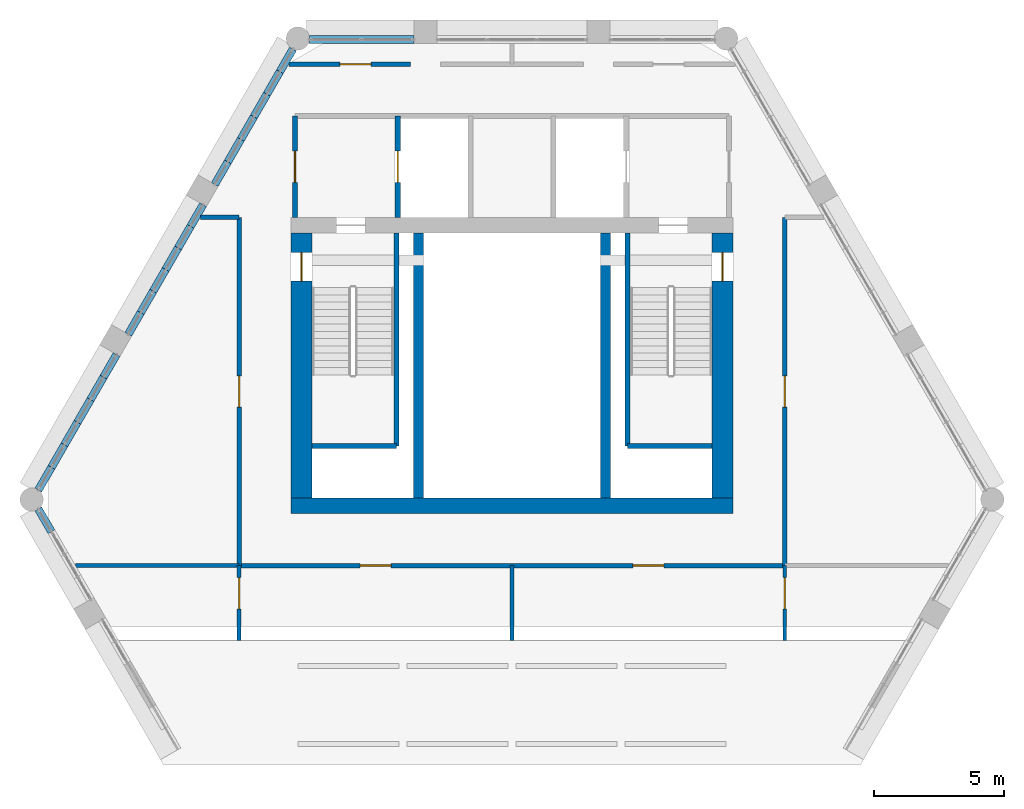
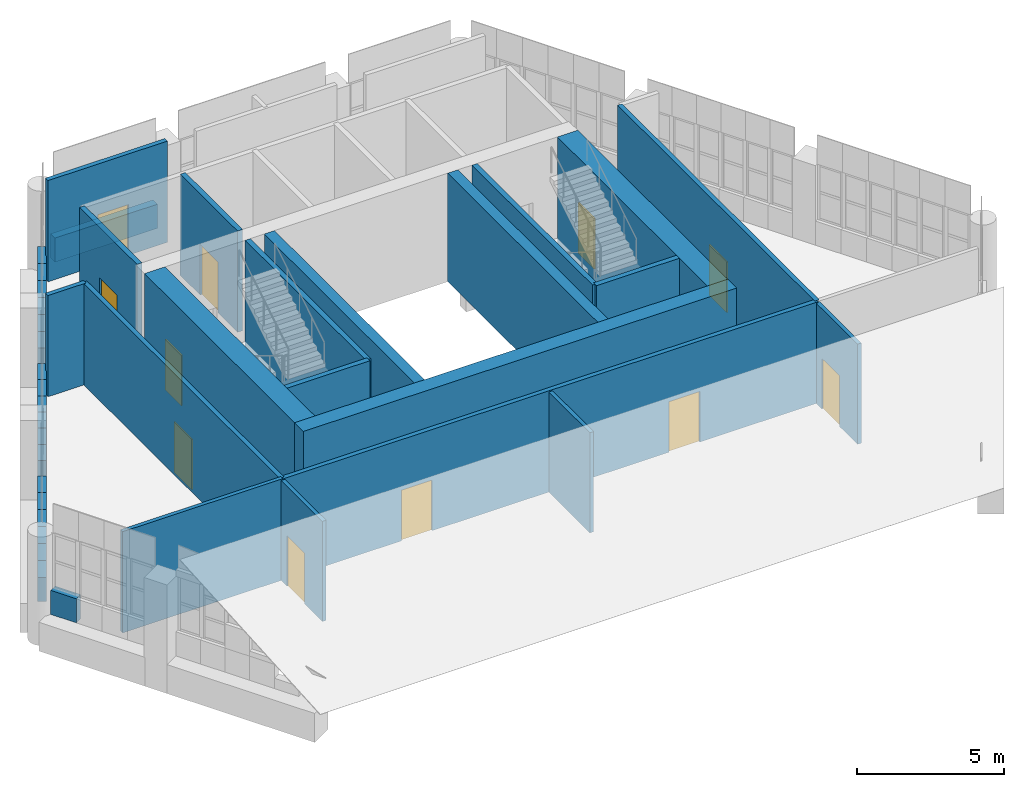
# One storey, part 18 of 23: 40 walls, 11 doors, 11 openings.
"""IFC4 building model written with IfcOpenShell, lengths in metres."""

import ifcopenshell
import ifcopenshell.guid

model = None  # the IFC model being written
_history = None  # IfcOwnerHistory: only IFC2X3 demands one
_inside = {}  # id of a spatial element -> (the spatial element, [elements in it])
_under = {}  # id of a project, library or spatial element -> (it, [spatial elements below it])
_declared = {}  # id of a project -> (the project, [libraries it declares])
_typed = {}  # id of a type object -> (the type object, [elements of that type])
_made_of = {}  # id of a material, layer set ... -> (it, [elements and type objects made of it])


def new_model(schema):
    """Start an empty IFC model of exactly this schema.

    Asked for "IFC4X3", IfcOpenShell would pick the latest addendum, in which some entities
    have other attributes; the version numbers below select the first issue.
    IFC2X3 requires an IfcOwnerHistory on every rooted entity: one is made here for all.
    """
    global model, _history
    if schema == "IFC4X3":
        model = ifcopenshell.file(schema_version=(4, 3, 0, 0))
    else:
        model = ifcopenshell.file(schema=schema)
    _inside.clear()
    _under.clear()
    _declared.clear()
    _typed.clear()
    _made_of.clear()
    _history = None
    if model.schema == "IFC2X3":
        org = make("IfcOrganization", Name="unknown")
        user = make(
            "IfcPersonAndOrganization",
            ThePerson=make("IfcPerson", FamilyName="unknown"),
            TheOrganization=org,
        )
        app = make(
            "IfcApplication",
            ApplicationDeveloper=org,
            Version="unknown",
            ApplicationFullName="unknown",
            ApplicationIdentifier="unknown",
        )
        _history = make(
            "IfcOwnerHistory",
            OwningUser=user,
            OwningApplication=app,
            ChangeAction="ADDED",
            CreationDate=0,
        )
    return model


def make(cls, **values):
    """One entity of the class cls with the attributes given. An attribute that is None is left unset."""
    return model.create_entity(
        cls, **{name: value for name, value in values.items() if value is not None}
    )


def rooted(cls, **values):
    """An entity with a GlobalId (a new one), such as an element, a storey or a relation."""
    return make(cls, GlobalId=ifcopenshell.guid.new(), OwnerHistory=_history, **values)


def si_unit(unit_type, name, prefix=None):
    """IfcSIUnit, for example si_unit("LENGTHUNIT", "METRE", prefix="MILLI")."""
    return make("IfcSIUnit", UnitType=unit_type, Prefix=prefix, Name=name)


def assignment(units):
    """IfcUnitAssignment: the units of a project."""
    return None if units is None else make("IfcUnitAssignment", Units=units)


def point(xyz):
    """IfcCartesianPoint."""
    return None if xyz is None else make("IfcCartesianPoint", Coordinates=xyz)


def direction(xyz):
    """IfcDirection."""
    return None if xyz is None else make("IfcDirection", DirectionRatios=xyz)


def frame(location, z_axis=None, x_axis=None):
    """IfcAxis2Placement3D, a coordinate frame: its origin and axes. An axis left out is left unset."""
    return make(
        "IfcAxis2Placement3D",
        Location=point(location),
        Axis=direction(z_axis),
        RefDirection=direction(x_axis),
    )


def frame_2d(location, x_axis=None):
    """IfcAxis2Placement2D, a coordinate frame in the plane: its origin and x axis."""
    return make(
        "IfcAxis2Placement2D", Location=point(location), RefDirection=direction(x_axis)
    )


def origin():
    """The frame at (0, 0, 0) with its axes left unset."""
    return frame((0.0, 0.0, 0.0))


def place(relative_to, where):
    """IfcLocalPlacement: puts the frame where relative to a parent placement (None: the world)."""
    return make(
        "IfcLocalPlacement", PlacementRelTo=relative_to, RelativePlacement=where
    )


def context(
    kind, dimensions, precision=None, world=None, true_north=None, identifier=None
):
    """IfcGeometricRepresentationContext, for example the 3D "Model" context."""
    return make(
        "IfcGeometricRepresentationContext",
        ContextIdentifier=identifier,
        ContextType=kind,
        CoordinateSpaceDimension=dimensions,
        Precision=precision,
        WorldCoordinateSystem=world,
        TrueNorth=true_north,
    )


def subcontext(parent, identifier, kind, view, scale=None):
    """IfcGeometricRepresentationSubContext, for example "Body" below "Model"."""
    return make(
        "IfcGeometricRepresentationSubContext",
        ContextIdentifier=identifier,
        ContextType=kind,
        ParentContext=parent,
        TargetScale=scale,
        TargetView=view,
    )


def project(units=None, contexts=None):
    """IfcProject with its units and contexts."""
    return rooted(
        "IfcProject",
        Name="project",
        RepresentationContexts=contexts,
        UnitsInContext=assignment(units),
    )


def spatial(cls, under=None, at=None, **own):
    """A site, building, storey or space (cls), placed at a placement, below another one or the project."""
    s = rooted(cls, ObjectPlacement=at, **own)
    if under is not None:
        _under.setdefault(under.id(), (under, []))[1].append(s)
    return s


def profile(cls, at=None, kind="AREA", **sizes):
    """A parametric profile (cls). Its sizes go by their IFC names, for example OverallWidth=200.0."""
    return make(cls, ProfileType=kind, Position=at, **sizes)


def rectangle(**sizes):
    """IfcRectangleProfileDef."""
    return profile("IfcRectangleProfileDef", **sizes)


def extrude(swept, where, along, depth):
    """IfcExtrudedAreaSolid: the profile swept, set in the frame where, extruded along a direction by depth."""
    return make(
        "IfcExtrudedAreaSolid",
        SweptArea=swept,
        Position=where,
        ExtrudedDirection=direction(along),
        Depth=depth,
    )


def shape(context_of_items, identifier, shape_type, items):
    """IfcShapeRepresentation: the items that make up one representation, for example the "Body"."""
    return make(
        "IfcShapeRepresentation",
        ContextOfItems=context_of_items,
        RepresentationIdentifier=identifier,
        RepresentationType=shape_type,
        Items=items,
    )


def material(Name=None, Category=None):
    """IfcMaterial."""
    return make("IfcMaterial", Name=Name, Category=Category)


def layer(
    of_material, thickness, ventilated=None, Name=None, Category=None, Priority=None
):
    """IfcMaterialLayer: one layer of a wall or slab, of a material (None: an air gap)."""
    return make(
        "IfcMaterialLayer",
        Material=of_material,
        LayerThickness=thickness,
        IsVentilated=ventilated,
        Name=Name,
        Category=Category,
        Priority=Priority,
    )


def layer_set(layers, Name=None):
    """IfcMaterialLayerSet."""
    return make("IfcMaterialLayerSet", MaterialLayers=layers, LayerSetName=Name)


def made_of(thing, what):
    """Note that an element or type object is made of a material, layer set ...; save() writes the relation."""
    if what is not None:
        _made_of.setdefault(what.id(), (what, []))[1].append(thing)
    return thing


def type_object(cls, material=None, **own):
    """A type object (cls), such as IfcWallType, which elements share."""
    return made_of(rooted(cls, **own), material)


def element(
    cls,
    number,
    at=None,
    inside=None,
    cuts=None,
    type_object=None,
    material=None,
    context=None,
    identifier="Body",
    shape_type=None,
    held_by="IfcProductDefinitionShape",
    body=None,
    shapes=None,
    **own,
):
    """One element of the class cls, such as IfcWall. Its Tag is "e" and its number.

    at: its placement. inside: the storey or other place that contains it. cuts: it is an
    opening in that element (IfcRelVoidsElement). A single representation is given by context,
    identifier, shape_type and body (its items); several are given by shapes. held_by: the class
    of the entity that holds the representations. save() writes the other relations.
    """
    e = rooted(cls, Tag="e%d" % number, ObjectPlacement=at, **own)
    if body is not None:
        shapes = [shape(context, identifier, shape_type, body)]
    if shapes is not None:
        e.Representation = make(held_by, Representations=shapes)
    if inside is not None:
        _inside.setdefault(inside.id(), (inside, []))[1].append(e)
    if cuts is not None:
        rooted(
            "IfcRelVoidsElement", RelatingBuildingElement=cuts, RelatedOpeningElement=e
        )
    if type_object is not None:
        _typed.setdefault(type_object.id(), (type_object, []))[1].append(e)
    return made_of(e, material)


def fill(opening, filler):
    """IfcRelFillsElement: the door or window that sits in an opening."""
    return rooted(
        "IfcRelFillsElement",
        RelatingOpeningElement=opening,
        RelatedBuildingElement=filler,
    )


def aggregate(whole, parts):
    """IfcRelAggregates: a whole, such as a stair, and the parts it consists of."""
    return rooted("IfcRelAggregates", RelatingObject=whole, RelatedObjects=parts)


def save(model, path):
    """Write the relations noted so far, then the file.

    IfcRelAggregates (storeys below a building ...), IfcRelContainedInSpatialStructure (elements
    in a storey), IfcRelDefinesByType, IfcRelAssociatesMaterial and IfcRelDeclares: one each for
    every whole, place, type object, material and project.
    """
    for whole, parts in _under.values():
        aggregate(whole, parts)
    for where, things in _inside.values():
        rooted(
            "IfcRelContainedInSpatialStructure",
            RelatedElements=things,
            RelatingStructure=where,
        )
    for kind, things in _typed.values():
        rooted("IfcRelDefinesByType", RelatedObjects=things, RelatingType=kind)
    for what, things in _made_of.values():
        rooted("IfcRelAssociatesMaterial", RelatedObjects=things, RelatingMaterial=what)
    for by, libraries in _declared.values():
        rooted("IfcRelDeclares", RelatingContext=by, RelatedDefinitions=libraries)
    model.write(path)


model = new_model("IFC4")

# Units and contexts
model_context = context("Model", 3, precision=1e-05, world=origin(), true_north=direction((0.0, 1.0)))
body_context = subcontext(model_context, "Body", "Model", "MODEL_VIEW")
ifc_project = project(units=[si_unit("LENGTHUNIT", "METRE"), si_unit("AREAUNIT", "SQUARE_METRE"), si_unit("VOLUMEUNIT", "CUBIC_METRE"), si_unit("PLANEANGLEUNIT", "RADIAN"), si_unit("MASSUNIT", "GRAM", prefix="KILO")], contexts=[model_context])

# Site, building, storey
site_placement = place(None, origin())
site = spatial("IfcSite", under=ifc_project, at=site_placement, CompositionType="ELEMENT")
building_placement = place(site_placement, origin())
building = spatial("IfcBuilding", under=site, at=building_placement, Name="Ostrander Bayou Hotel Tower", CompositionType="ELEMENT")
storey_placement = place(building_placement, frame((0.0, 0.0, 279.5)))
storey = spatial("IfcBuildingStorey", under=building, at=storey_placement, Name="L69", CompositionType="ELEMENT", Elevation=279.5)

# Wall
ifc_material_1 = material(Name="Concrete f'c 60 MPa", Category="concrete")
ifc_layer_1 = layer(ifc_material_1, 0.60009765625)
ifc_layer_set_1 = layer_set([ifc_layer_1], Name="CW10 core wall 600 mm f'c 60 MPa")
wall_type_1 = type_object("IfcWallType", Name="CW10 core wall 600 mm f'c 60 MPa", PredefinedType="SHEAR", material=ifc_layer_set_1)
wall_1_placement = place(storey_placement, frame((-8.5, -1.39990234375, -0.300048828125), z_axis=(0.0, 0.0, 1.0), x_axis=(1.0, 0.0, 0.0)))
element("IfcWall", 1, at=wall_1_placement, inside=storey, type_object=wall_type_1, Name="CW10 L69 S", PredefinedType="SHEAR", context=body_context, shape_type="SweptSolid", body=[
    extrude(rectangle(XDim=17.0, YDim=0.60009765625, at=frame_2d((8.5, 0.0))), origin(), (0.0, 0.0, 1.0), 4.5),
])

# Wall, opening, door
ifc_material_2 = material(Name="Concrete f'c 60 MPa", Category="concrete")
ifc_layer_2 = layer(ifc_material_2, 0.800048828125)
ifc_layer_set_2 = layer_set([ifc_layer_2], Name="CW11 core spine wall 800 mm f'c 60 MPa")
wall_type_2 = type_object("IfcWallType", Name="CW11 core spine wall 800 mm f'c 60 MPa", PredefinedType="SHEAR", material=ifc_layer_set_2)
wall_2_placement = place(storey_placement, frame((-8.10009765625, -1.10009765625, -0.300048828125), z_axis=(0.0, 0.0, 1.0), x_axis=(0.0, 1.0, 0.0)))
wall_2 = element("IfcWall", 2, at=wall_2_placement, inside=storey, type_object=wall_type_2, Name="CW11 L69 W", PredefinedType="SHEAR", context=body_context, shape_type="SweptSolid", body=[
    extrude(rectangle(XDim=10.2001953125, YDim=0.800048828125, at=frame_2d((5.10009765625, 0.0))), origin(), (0.0, 0.0, 1.0), 4.5),
])
opening_1_placement = place(wall_2_placement, frame((8.35009765625, 0.0, 0.0)))
opening_1 = element("IfcOpeningElement", 3, at=opening_1_placement, cuts=wall_2, Name="Opening T69-002", PredefinedType="OPENING", context=body_context, shape_type="SweptSolid", body=[
    extrude(rectangle(XDim=1.10009765625, YDim=2.10009765625, at=frame_2d((0.550048828125, 1.050048828125))), frame((0.0, 0.39990234375, 0.0), z_axis=(0.0, -1.0, 0.0), x_axis=(1.0, 0.0, 0.0)), (0.0, 0.0, 1.0), 0.800048828125),
])
ifc_material_3 = material(Name="Timber door leaf", Category="wood")
door_type_1 = type_object("IfcDoorType", Name="D5 stair door 1100 x 2100 mm, 90 minute", OperationType="SINGLE_SWING_LEFT", PredefinedType="DOOR", material=ifc_material_3)
door_1_placement = place(opening_1_placement, origin())
door_1 = element("IfcDoor", 4, at=door_1_placement, inside=storey, type_object=door_type_1, Name="dr:L69:002", OperationType="SINGLE_SWING_RIGHT", OverallHeight=2.10009765625, OverallWidth=1.10009765625, PredefinedType="DOOR", context=body_context, shape_type="SweptSolid", body=[
    extrude(rectangle(XDim=1.10009765625, YDim=2.10009765625, at=frame_2d((0.550048828125, 1.050048828125))), frame((0.0, 0.02490234375, 0.0), z_axis=(0.0, -1.0, 0.0), x_axis=(1.0, 0.0, 0.0)), (0.0, 0.0, 1.0), 0.050048828125),
])
fill(opening_1, door_1)

wall_3_placement = place(storey_placement, frame((8.10009765625, -1.10009765625, -0.300048828125), z_axis=(0.0, 0.0, 1.0), x_axis=(0.0, 1.0, 0.0)))
wall_3 = element("IfcWall", 5, at=wall_3_placement, inside=storey, type_object=wall_type_2, Name="CW11 L69 E", PredefinedType="SHEAR", context=body_context, shape_type="SweptSolid", body=[
    extrude(rectangle(XDim=10.2001953125, YDim=0.800048828125, at=frame_2d((5.10009765625, 0.0))), origin(), (0.0, 0.0, 1.0), 4.5),
])
opening_2_placement = place(wall_3_placement, frame((8.35009765625, 0.0, 0.0)))
opening_2 = element("IfcOpeningElement", 6, at=opening_2_placement, cuts=wall_3, Name="Opening T69-004", PredefinedType="OPENING", context=body_context, shape_type="SweptSolid", body=[
    extrude(rectangle(XDim=1.10009765625, YDim=2.10009765625, at=frame_2d((0.550048828125, 1.050048828125))), frame((0.0, 0.39990234375, 0.0), z_axis=(0.0, -1.0, 0.0), x_axis=(1.0, 0.0, 0.0)), (0.0, 0.0, 1.0), 0.800048828125),
])
door_2_placement = place(opening_2_placement, origin())
door_2 = element("IfcDoor", 7, at=door_2_placement, inside=storey, type_object=door_type_1, Name="dr:L69:004", OperationType="SINGLE_SWING_LEFT", OverallHeight=2.10009765625, OverallWidth=1.10009765625, PredefinedType="DOOR", context=body_context, shape_type="SweptSolid", body=[
    extrude(rectangle(XDim=1.10009765625, YDim=2.10009765625, at=frame_2d((0.550048828125, 1.050048828125))), frame((0.0, 0.02490234375, 0.0), z_axis=(0.0, -1.0, 0.0), x_axis=(1.0, 0.0, 0.0)), (0.0, 0.0, 1.0), 0.050048828125),
])
fill(opening_2, door_2)

# Walls
ifc_material_4 = material(Name="Concrete f'c 60 MPa", Category="concrete")
ifc_layer_3 = layer(ifc_material_4, 0.39990234375)
ifc_layer_set_3 = layer_set([ifc_layer_3], Name="CW12 core bank wall 400 mm f'c 60 MPa")
wall_type_3 = type_object("IfcWallType", Name="CW12 core bank wall 400 mm f'c 60 MPa", PredefinedType="SHEAR", material=ifc_layer_set_3)
for number, where, z_axis, x_axis, name in (
    (8, (-3.60009765625, -1.10009765625, -0.300048828125), (0.0, 0.0, 1.0), (0.0, 1.0, 0.0), "CW12 L69 CW"),
    (9, (3.60009765625, -1.10009765625, -0.300048828125), (0.0, 0.0, 1.0), (0.0, 1.0, 0.0), "CW12 L69 CE"),
):
    element("IfcWall", number, at=place(storey_placement, frame(where, z_axis=z_axis, x_axis=x_axis)), inside=storey, type_object=wall_type_3, Name=name, PredefinedType="SHEAR", context=body_context, shape_type="SweptSolid", body=[
        extrude(rectangle(XDim=10.2001953125, YDim=0.39990234375, at=frame_2d((5.10009765625, 0.0))), origin(), (0.0, 0.0, 1.0), 4.5),
    ])
ifc_material_5 = material(Name="Reconstituted stone on masonry backing", Category="masonry")
ifc_layer_4 = layer(ifc_material_5, 0.300048828125)
ifc_layer_set_4 = layer_set([ifc_layer_4], Name="NW1 north stone wall 300 mm")
wall_type_4 = type_object("IfcWallType", Name="NW1 north stone wall 300 mm", PredefinedType="SOLIDWALL", material=ifc_layer_set_4)
wall_4_placement = place(storey_placement, frame((-3.779296875, 16.550048828125, 0.0), z_axis=(0.0, 0.0, 1.0), x_axis=(-1.0, 0.0, 0.0)))
element("IfcWall", 10, at=wall_4_placement, inside=storey, type_object=wall_type_4, Name="NW1 L69 N-3 sill", PredefinedType="SOLIDWALL", context=body_context, shape_type="SweptSolid", body=[
    extrude(rectangle(XDim=4.0166015625, YDim=0.300048828125, at=frame_2d((2.00830078125, 0.0))), origin(), (0.0, 0.0, 1.0), 1.0),
])
wall_5_placement = place(storey_placement, frame((-8.431884765625, 16.182373046875, 0.0), z_axis=(0.0, 0.0, 1.0), x_axis=(-0.500143783026, -0.865942374699, 0.0)))
element("IfcWall", 11, at=wall_5_placement, inside=storey, type_object=wall_type_4, Name="NW1 L69 NW-1-1 sill", PredefinedType="SOLIDWALL", context=body_context, shape_type="SweptSolid", body=[
    extrude(rectangle(XDim=1.003173828125, YDim=0.300048828125, at=frame_2d((0.50146484375, 0.0))), origin(), (0.0, 0.0, 1.0), 1.0),
])
wall_6_placement = place(storey_placement, frame((-8.93359375, 15.313720703125, 0.0), z_axis=(0.0, 0.0, 1.0), x_axis=(-0.500038395149, -0.8660032352, 0.0)))
element("IfcWall", 12, at=wall_6_placement, inside=storey, type_object=wall_type_4, Name="NW1 L69 NW-1-2 sill", PredefinedType="SOLIDWALL", context=body_context, shape_type="SweptSolid", body=[
    extrude(rectangle(XDim=1.00341796875, YDim=0.300048828125, at=frame_2d((0.501708984375, 0.0))), origin(), (0.0, 0.0, 1.0), 1.0),
])
wall_7_placement = place(storey_placement, frame((-9.435302734375, 14.44482421875, 0.0), z_axis=(0.0, 0.0, 1.0), x_axis=(-0.499961250474, -0.866047774678, 0.0)))
element("IfcWall", 13, at=wall_7_placement, inside=storey, type_object=wall_type_4, Name="NW1 L69 NW-1-3 sill", PredefinedType="SOLIDWALL", context=body_context, shape_type="SweptSolid", body=[
    extrude(rectangle(XDim=1.0029296875, YDim=0.300048828125, at=frame_2d((0.50146484375, 0.0))), origin(), (0.0, 0.0, 1.0), 1.0),
])
for number, where, z_axis, x_axis, name in (
    (14, (-9.936767578125, 13.576171875, 0.0), (0.0, 0.0, 1.0), (-0.499855875421, -0.866108598161, 0.0), "NW1 L69 NW-1-4 sill"),
    (15, (-10.438232421875, 12.707275390625, 0.0), (0.0, 0.0, 1.0), (-0.500143783026, -0.865942374699, 0.0), "NW1 L69 NW-1-5 sill"),
    (16, (-10.93994140625, 11.838623046875, 0.0), (0.0, 0.0, 1.0), (-0.499855875421, -0.866108598161, 0.0), "NW1 L69 NW-1-6 sill"),
):
    element("IfcWall", number, at=place(storey_placement, frame(where, z_axis=z_axis, x_axis=x_axis)), inside=storey, type_object=wall_type_4, Name=name, PredefinedType="SOLIDWALL", context=body_context, shape_type="SweptSolid", body=[
        extrude(rectangle(XDim=1.003173828125, YDim=0.300048828125, at=frame_2d((0.50146484375, 0.0))), origin(), (0.0, 0.0, 1.0), 1.0),
    ])
for number, where, z_axis, x_axis, name in (
    (17, (-11.8916015625, 10.1904296875, 0.0), (0.0, 0.0, 1.0), (-0.499832553123, -0.866122057702, 0.0), "NW1 L69 NW-2-1 sill"),
    (18, (-12.371337890625, 9.359130859375, 0.0), (0.0, 0.0, 1.0), (-0.500133489192, -0.865948320045, 0.0), "NW1 L69 NW-2-2 sill"),
):
    element("IfcWall", number, at=place(storey_placement, frame(where, z_axis=z_axis, x_axis=x_axis)), inside=storey, type_object=wall_type_4, Name=name, PredefinedType="SOLIDWALL", context=body_context, shape_type="SweptSolid", body=[
        extrude(rectangle(XDim=0.959716796875, YDim=0.300048828125, at=frame_2d((0.47998046875, 0.0))), origin(), (0.0, 0.0, 1.0), 1.0),
    ])
wall_8_placement = place(storey_placement, frame((-12.851318359375, 8.528076171875, 0.0), z_axis=(0.0, 0.0, 1.0), x_axis=(-0.500023335103, -0.866011930837, 0.0)))
element("IfcWall", 19, at=wall_8_placement, inside=storey, type_object=wall_type_4, Name="NW1 L69 NW-2-3 sill", PredefinedType="SOLIDWALL", context=body_context, shape_type="SweptSolid", body=[
    extrude(rectangle(XDim=0.9599609375, YDim=0.300048828125, at=frame_2d((0.47998046875, 0.0))), origin(), (0.0, 0.0, 1.0), 1.0),
])
wall_9_placement = place(storey_placement, frame((-13.331298828125, 7.69677734375, 0.0), z_axis=(0.0, 0.0, 1.0), x_axis=(-0.499832553123, -0.866122057702, 0.0)))
element("IfcWall", 20, at=wall_9_placement, inside=storey, type_object=wall_type_4, Name="NW1 L69 NW-2-4 sill", PredefinedType="SOLIDWALL", context=body_context, shape_type="SweptSolid", body=[
    extrude(rectangle(XDim=0.959716796875, YDim=0.300048828125, at=frame_2d((0.47998046875, 0.0))), origin(), (0.0, 0.0, 1.0), 1.0),
])
wall_10_placement = place(storey_placement, frame((-13.81103515625, 6.865478515625, 0.0), z_axis=(0.0, 0.0, 1.0), x_axis=(-0.500023335103, -0.866011930837, 0.0)))
element("IfcWall", 21, at=wall_10_placement, inside=storey, type_object=wall_type_4, Name="NW1 L69 NW-2-5 sill", PredefinedType="SOLIDWALL", context=body_context, shape_type="SweptSolid", body=[
    extrude(rectangle(XDim=0.9599609375, YDim=0.300048828125, at=frame_2d((0.47998046875, 0.0))), origin(), (0.0, 0.0, 1.0), 1.0),
])
wall_11_placement = place(storey_placement, frame((-14.291015625, 6.0341796875, 0.0), z_axis=(0.0, 0.0, 1.0), x_axis=(-0.500133489192, -0.865948320045, 0.0)))
element("IfcWall", 22, at=wall_11_placement, inside=storey, type_object=wall_type_4, Name="NW1 L69 NW-2-6 sill", PredefinedType="SOLIDWALL", context=body_context, shape_type="SweptSolid", body=[
    extrude(rectangle(XDim=0.959716796875, YDim=0.300048828125, at=frame_2d((0.47998046875, 0.0))), origin(), (0.0, 0.0, 1.0), 1.0),
])
wall_12_placement = place(storey_placement, frame((-15.220947265625, 4.423583984375, 0.0), z_axis=(0.0, 0.0, 1.0), x_axis=(-0.499961250474, -0.866047774678, 0.0)))
element("IfcWall", 23, at=wall_12_placement, inside=storey, type_object=wall_type_4, Name="NW1 L69 NW-3-1 sill", PredefinedType="SOLIDWALL", context=body_context, shape_type="SweptSolid", body=[
    extrude(rectangle(XDim=1.0029296875, YDim=0.300048828125, at=frame_2d((0.50146484375, 0.0))), origin(), (0.0, 0.0, 1.0), 1.0),
])
wall_13_placement = place(storey_placement, frame((-15.722412109375, 3.554931640625, 0.0), z_axis=(0.0, 0.0, 1.0), x_axis=(-0.500143783026, -0.865942374699, 0.0)))
element("IfcWall", 24, at=wall_13_placement, inside=storey, type_object=wall_type_4, Name="NW1 L69 NW-3-2 sill", PredefinedType="SOLIDWALL", context=body_context, shape_type="SweptSolid", body=[
    extrude(rectangle(XDim=1.003173828125, YDim=0.300048828125, at=frame_2d((0.50146484375, 0.0))), origin(), (0.0, 0.0, 1.0), 1.0),
])
for number, where, z_axis, x_axis, name in (
    (25, (-16.22412109375, 2.686279296875, 0.0), (0.0, 0.0, 1.0), (-0.499961250474, -0.866047774678, 0.0), "NW1 L69 NW-3-3 sill"),
    (26, (-16.7255859375, 1.817626953125, 0.0), (0.0, 0.0, 1.0), (-0.499961250474, -0.866047774678, 0.0), "NW1 L69 NW-3-4 sill"),
    (27, (-17.22705078125, 0.948974609375, 0.0), (0.0, 0.0, 1.0), (-0.499961250474, -0.866047774678, 0.0), "NW1 L69 NW-3-5 sill"),
    (28, (-17.728515625, 0.080322265625, 0.0), (0.0, 0.0, 1.0), (-0.499961250474, -0.866047774678, 0.0), "NW1 L69 NW-3-6 sill"),
):
    element("IfcWall", number, at=place(storey_placement, frame(where, z_axis=z_axis, x_axis=x_axis)), inside=storey, type_object=wall_type_4, Name=name, PredefinedType="SOLIDWALL", context=body_context, shape_type="SweptSolid", body=[
        extrude(rectangle(XDim=1.0029296875, YDim=0.300048828125, at=frame_2d((0.50146484375, 0.0))), origin(), (0.0, 0.0, 1.0), 1.0),
    ])
wall_14_placement = place(storey_placement, frame((-18.22998046875, -1.524658203125, 0.0), z_axis=(0.0, 0.0, 1.0), x_axis=(0.500010157896, -0.866019539041, 0.0)))
element("IfcWall", 29, at=wall_14_placement, inside=storey, type_object=wall_type_4, Name="NW1 L69 SW-1-1 sill", PredefinedType="SOLIDWALL", context=body_context, shape_type="SweptSolid", body=[
    extrude(rectangle(XDim=1.00390625, YDim=0.300048828125, at=frame_2d((0.501953125, 0.0))), origin(), (0.0, 0.0, 1.0), 1.0),
])

# Wall, openings, doors
ifc_material_6 = material(Name="Gypsum board partition", Category="finish")
ifc_layer_5 = layer(ifc_material_6, 0.175048828125)
ifc_layer_set_5 = layer_set([ifc_layer_5], Name="PT4 corridor wall 175 mm, 1 hour")
wall_type_5 = type_object("IfcWallType", Name="PT4 corridor wall 175 mm, 1 hour", PredefinedType="PARTITIONING", material=ifc_layer_set_5)
wall_15_placement = place(storey_placement, frame((-10.5, -3.699951171875, 0.0), z_axis=(0.0, 0.0, 1.0), x_axis=(1.0, 0.0, 0.0)))
wall_15 = element("IfcWall", 30, at=wall_15_placement, inside=storey, type_object=wall_type_5, Name="sw:L69:001", PredefinedType="PARTITIONING", context=body_context, shape_type="SweptSolid", body=[
    extrude(rectangle(XDim=21.0, YDim=0.175048828125, at=frame_2d((10.5, 0.0))), origin(), (0.0, 0.0, 1.0), 4.199951171875),
])
opening_3_placement = place(wall_15_placement, frame((4.64990234375, 0.0, 0.0)))
opening_3 = element("IfcOpeningElement", 31, at=opening_3_placement, cuts=wall_15, Name="Opening T69-200", PredefinedType="OPENING", context=body_context, shape_type="SweptSolid", body=[
    extrude(rectangle(XDim=1.199951171875, YDim=2.10009765625, at=frame_2d((0.60009765625, 1.050048828125))), frame((0.0, 0.08740234375, 0.0), z_axis=(0.0, -1.0, 0.0), x_axis=(1.0, 0.0, 0.0)), (0.0, 0.0, 1.0), 0.175048828125),
])
opening_4_placement = place(wall_15_placement, frame((15.14990234375, 0.0, 0.0)))
opening_4 = element("IfcOpeningElement", 32, at=opening_4_placement, cuts=wall_15, Name="Opening T69-201", PredefinedType="OPENING", context=body_context, shape_type="SweptSolid", body=[
    extrude(rectangle(XDim=1.199951171875, YDim=2.10009765625, at=frame_2d((0.60009765625, 1.050048828125))), frame((0.0, 0.08740234375, 0.0), z_axis=(0.0, -1.0, 0.0), x_axis=(1.0, 0.0, 0.0)), (0.0, 0.0, 1.0), 0.175048828125),
])
ifc_material_7 = material(Name="Timber door leaf", Category="wood")
door_type_2 = type_object("IfcDoorType", Name="D10 plant room door 1200 x 2100 mm, 1 hour", OperationType="SINGLE_SWING_LEFT", PredefinedType="DOOR", material=ifc_material_7)
door_3_placement = place(opening_3_placement, origin())
door_3 = element("IfcDoor", 33, at=door_3_placement, inside=storey, type_object=door_type_2, Name="dr:L69:200", OperationType="SINGLE_SWING_RIGHT", OverallHeight=2.10009765625, OverallWidth=1.199951171875, PredefinedType="DOOR", context=body_context, shape_type="SweptSolid", body=[
    extrude(rectangle(XDim=1.199951171875, YDim=2.10009765625, at=frame_2d((0.60009765625, 1.050048828125))), frame((0.0, 0.02490234375, 0.0), z_axis=(0.0, -1.0, 0.0), x_axis=(1.0, 0.0, 0.0)), (0.0, 0.0, 1.0), 0.050048828125),
])
fill(opening_3, door_3)
door_4_placement = place(opening_4_placement, origin())
door_4 = element("IfcDoor", 34, at=door_4_placement, inside=storey, type_object=door_type_2, Name="dr:L69:201", OperationType="SINGLE_SWING_LEFT", OverallHeight=2.10009765625, OverallWidth=1.199951171875, PredefinedType="DOOR", context=body_context, shape_type="SweptSolid", body=[
    extrude(rectangle(XDim=1.199951171875, YDim=2.10009765625, at=frame_2d((0.60009765625, 1.050048828125))), frame((0.0, 0.02490234375, 0.0), z_axis=(0.0, -1.0, 0.0), x_axis=(1.0, 0.0, 0.0)), (0.0, 0.0, 1.0), 0.050048828125),
])
fill(opening_4, door_4)

# Wall
wall_16_placement = place(storey_placement, frame((-11.996337890625, 9.699951171875, 0.0), z_axis=(0.0, 0.0, 1.0), x_axis=(1.0, 0.0, 0.0)))
element("IfcWall", 35, at=wall_16_placement, inside=storey, type_object=wall_type_5, Name="sw:L69:002", PredefinedType="PARTITIONING", context=body_context, shape_type="SweptSolid", body=[
    extrude(rectangle(XDim=1.496337890625, YDim=0.175048828125, at=frame_2d((0.748046875, 0.0))), origin(), (0.0, 0.0, 1.0), 4.199951171875),
])

# Wall, opening, door
wall_17_placement = place(storey_placement, frame((-8.590087890625, 15.60009765625, 0.0), z_axis=(0.0, 0.0, 1.0), x_axis=(1.0, 0.0, 0.0)))
wall_17 = element("IfcWall", 36, at=wall_17_placement, inside=storey, type_object=wall_type_5, Name="sw:L69:004", PredefinedType="PARTITIONING", context=body_context, shape_type="SweptSolid", body=[
    extrude(rectangle(XDim=4.68701171875, YDim=0.175048828125, at=frame_2d((2.343505859375, 0.0))), origin(), (0.0, 0.0, 1.0), 4.199951171875),
])
opening_5_placement = place(wall_17_placement, frame((1.9638671875, 0.0, 0.0)))
opening_5 = element("IfcOpeningElement", 37, at=opening_5_placement, cuts=wall_17, Name="Opening T69-206", PredefinedType="OPENING", context=body_context, shape_type="SweptSolid", body=[
    extrude(rectangle(XDim=1.199951171875, YDim=2.10009765625, at=frame_2d((0.60009765625, 1.050048828125))), frame((0.0, 0.08740234375, 0.0), z_axis=(0.0, -1.0, 0.0), x_axis=(1.0, 0.0, 0.0)), (0.0, 0.0, 1.0), 0.175048828125),
])
door_5_placement = place(opening_5_placement, origin())
door_5 = element("IfcDoor", 38, at=door_5_placement, inside=storey, type_object=door_type_2, Name="dr:L69:206", OperationType="SINGLE_SWING_RIGHT", OverallHeight=2.10009765625, OverallWidth=1.199951171875, PredefinedType="DOOR", context=body_context, shape_type="SweptSolid", body=[
    extrude(rectangle(XDim=1.199951171875, YDim=2.10009765625, at=frame_2d((0.60009765625, 1.050048828125))), frame((0.0, 0.02490234375, 0.0), z_axis=(0.0, -1.0, 0.0), x_axis=(1.0, 0.0, 0.0)), (0.0, 0.0, 1.0), 0.050048828125),
])
fill(opening_5, door_5)

wall_18_placement = place(storey_placement, frame((-10.5, -3.699951171875, 0.0), z_axis=(0.0, 0.0, 1.0), x_axis=(0.0, 1.0, 0.0)))
wall_18 = element("IfcWall", 39, at=wall_18_placement, inside=storey, type_object=wall_type_5, Name="sw:L69:007", PredefinedType="PARTITIONING", context=body_context, shape_type="SweptSolid", body=[
    extrude(rectangle(XDim=13.39990234375, YDim=0.175048828125, at=frame_2d((6.699951171875, 0.0))), origin(), (0.0, 0.0, 1.0), 4.199951171875),
])
opening_6_placement = place(wall_18_placement, frame((6.10009765625, 0.0, 0.0)))
opening_6 = element("IfcOpeningElement", 40, at=opening_6_placement, cuts=wall_18, Name="Opening T69-203", PredefinedType="OPENING", context=body_context, shape_type="SweptSolid", body=[
    extrude(rectangle(XDim=1.199951171875, YDim=2.10009765625, at=frame_2d((0.60009765625, 1.050048828125))), frame((0.0, 0.08740234375, 0.0), z_axis=(0.0, -1.0, 0.0), x_axis=(1.0, 0.0, 0.0)), (0.0, 0.0, 1.0), 0.175048828125),
])
door_6_placement = place(opening_6_placement, origin())
door_6 = element("IfcDoor", 41, at=door_6_placement, inside=storey, type_object=door_type_2, Name="dr:L69:203", OperationType="SINGLE_SWING_LEFT", OverallHeight=2.10009765625, OverallWidth=1.199951171875, PredefinedType="DOOR", context=body_context, shape_type="SweptSolid", body=[
    extrude(rectangle(XDim=1.199951171875, YDim=2.10009765625, at=frame_2d((0.60009765625, 1.050048828125))), frame((0.0, 0.02490234375, 0.0), z_axis=(0.0, -1.0, 0.0), x_axis=(1.0, 0.0, 0.0)), (0.0, 0.0, 1.0), 0.050048828125),
])
fill(opening_6, door_6)

wall_19_placement = place(storey_placement, frame((10.5, -3.699951171875, 0.0), z_axis=(0.0, 0.0, 1.0), x_axis=(0.0, 1.0, 0.0)))
wall_19 = element("IfcWall", 42, at=wall_19_placement, inside=storey, type_object=wall_type_5, Name="sw:L69:008", PredefinedType="PARTITIONING", context=body_context, shape_type="SweptSolid", body=[
    extrude(rectangle(XDim=13.39990234375, YDim=0.175048828125, at=frame_2d((6.699951171875, 0.0))), origin(), (0.0, 0.0, 1.0), 4.199951171875),
])
opening_7_placement = place(wall_19_placement, frame((6.10009765625, 0.0, 0.0)))
opening_7 = element("IfcOpeningElement", 43, at=opening_7_placement, cuts=wall_19, Name="Opening T69-205", PredefinedType="OPENING", context=body_context, shape_type="SweptSolid", body=[
    extrude(rectangle(XDim=1.199951171875, YDim=2.10009765625, at=frame_2d((0.60009765625, 1.050048828125))), frame((0.0, 0.08740234375, 0.0), z_axis=(0.0, -1.0, 0.0), x_axis=(1.0, 0.0, 0.0)), (0.0, 0.0, 1.0), 0.175048828125),
])
door_7_placement = place(opening_7_placement, origin())
door_7 = element("IfcDoor", 44, at=door_7_placement, inside=storey, type_object=door_type_2, Name="dr:L69:205", OperationType="SINGLE_SWING_LEFT", OverallHeight=2.10009765625, OverallWidth=1.199951171875, PredefinedType="DOOR", context=body_context, shape_type="SweptSolid", body=[
    extrude(rectangle(XDim=1.199951171875, YDim=2.10009765625, at=frame_2d((0.60009765625, 1.050048828125))), frame((0.0, 0.02490234375, 0.0), z_axis=(0.0, -1.0, 0.0), x_axis=(1.0, 0.0, 0.0)), (0.0, 0.0, 1.0), 0.050048828125),
])
fill(opening_7, door_7)

ifc_material_8 = material(Name="Masonry block", Category="masonry")
ifc_layer_6 = layer(ifc_material_8, 0.199951171875)
ifc_layer_set_6 = layer_set([ifc_layer_6], Name="PT5 stair enclosure wall 200 mm masonry, 2 hour")
wall_type_6 = type_object("IfcWallType", Name="PT5 stair enclosure wall 200 mm masonry, 2 hour", PredefinedType="PARTITIONING", material=ifc_layer_set_6)
wall_20_placement = place(storey_placement, frame((-8.35009765625, 9.699951171875, 0.0), z_axis=(0.0, 0.0, 1.0), x_axis=(0.0, 1.0, 0.0)))
wall_20 = element("IfcWall", 45, at=wall_20_placement, inside=storey, type_object=wall_type_6, Name="cs:L69:006", PredefinedType="PARTITIONING", context=body_context, shape_type="SweptSolid", body=[
    extrude(rectangle(XDim=3.900146484375, YDim=0.199951171875, at=frame_2d((1.9501953125, 0.0))), origin(), (0.0, 0.0, 1.0), 4.199951171875),
])
opening_8_placement = place(wall_20_placement, frame((1.35009765625, 0.0, 0.0)))
opening_8 = element("IfcOpeningElement", 46, at=opening_8_placement, cuts=wall_20, Name="Opening T69-006", PredefinedType="OPENING", context=body_context, shape_type="SweptSolid", body=[
    extrude(rectangle(XDim=1.199951171875, YDim=2.10009765625, at=frame_2d((0.60009765625, 1.050048828125))), frame((0.0, 0.10009765625, 0.0), z_axis=(0.0, -1.0, 0.0), x_axis=(1.0, 0.0, 0.0)), (0.0, 0.0, 1.0), 0.199951171875),
])
ifc_material_9 = material(Name="Timber door leaf", Category="wood")
door_type_3 = type_object("IfcDoorType", Name="D7 lobby door 1200 x 2100 mm, 1 hour", OperationType="SINGLE_SWING_LEFT", PredefinedType="DOOR", material=ifc_material_9)
door_8_placement = place(opening_8_placement, origin())
door_8 = element("IfcDoor", 47, at=door_8_placement, inside=storey, type_object=door_type_3, Name="dr:L69:006", OperationType="SINGLE_SWING_LEFT", OverallHeight=2.10009765625, OverallWidth=1.199951171875, PredefinedType="DOOR", context=body_context, shape_type="SweptSolid", body=[
    extrude(rectangle(XDim=1.199951171875, YDim=2.10009765625, at=frame_2d((0.60009765625, 1.050048828125))), frame((0.0, 0.02490234375, 0.0), z_axis=(0.0, -1.0, 0.0), x_axis=(1.0, 0.0, 0.0)), (0.0, 0.0, 1.0), 0.050048828125),
])
fill(opening_8, door_8)

wall_21_placement = place(storey_placement, frame((-4.39990234375, 9.699951171875, 0.0), z_axis=(0.0, 0.0, 1.0), x_axis=(0.0, 1.0, 0.0)))
wall_21 = element("IfcWall", 48, at=wall_21_placement, inside=storey, type_object=wall_type_6, Name="cs:L69:008", PredefinedType="PARTITIONING", context=body_context, shape_type="SweptSolid", body=[
    extrude(rectangle(XDim=3.900146484375, YDim=0.199951171875, at=frame_2d((1.9501953125, 0.0))), origin(), (0.0, 0.0, 1.0), 4.199951171875),
])
opening_9_placement = place(wall_21_placement, frame((1.35009765625, 0.0, 0.0)))
opening_9 = element("IfcOpeningElement", 49, at=opening_9_placement, cuts=wall_21, Name="Opening T69-005", PredefinedType="OPENING", context=body_context, shape_type="SweptSolid", body=[
    extrude(rectangle(XDim=1.199951171875, YDim=2.10009765625, at=frame_2d((0.60009765625, 1.050048828125))), frame((0.0, 0.10009765625, 0.0), z_axis=(0.0, -1.0, 0.0), x_axis=(1.0, 0.0, 0.0)), (0.0, 0.0, 1.0), 0.199951171875),
])
ifc_material_10 = material(Name="Stainless steel sliding door", Category="steel")
door_type_4 = type_object("IfcDoorType", Name="LD1 lift landing door 1200 x 2100 mm", OperationType="SINGLE_SWING_LEFT", PredefinedType="DOOR", material=ifc_material_10)
door_9_placement = place(opening_9_placement, origin())
door_9 = element("IfcDoor", 50, at=door_9_placement, inside=storey, type_object=door_type_4, Name="dr:L69:005", OperationType="SLIDING_TO_LEFT", OverallHeight=2.10009765625, OverallWidth=1.199951171875, PredefinedType="DOOR", context=body_context, shape_type="SweptSolid", body=[
    extrude(rectangle(XDim=1.199951171875, YDim=2.10009765625, at=frame_2d((0.60009765625, 1.050048828125))), frame((0.0, 0.02490234375, 0.0), z_axis=(0.0, -1.0, 0.0), x_axis=(1.0, 0.0, 0.0)), (0.0, 0.0, 1.0), 0.050048828125),
])
fill(opening_9, door_9)

# Wall
ifc_material_11 = material(Name="Gypsum board partition", Category="finish")
ifc_layer_7 = layer(ifc_material_11, 0.14990234375)
ifc_layer_set_7 = layer_set([ifc_layer_7], Name="PT7 riser wall 150 mm, 2 hour")
wall_type_7 = type_object("IfcWallType", Name="PT7 riser wall 150 mm, 2 hour", PredefinedType="PARTITIONING", material=ifc_layer_set_7)
wall_22_placement = place(storey_placement, frame((-16.7958984375, -3.699951171875, 0.0), z_axis=(0.0, 0.0, 1.0), x_axis=(1.0, 0.0, 0.0)))
element("IfcWall", 51, at=wall_22_placement, inside=storey, type_object=wall_type_7, Name="sw:L69:009", PredefinedType="PARTITIONING", context=body_context, shape_type="SweptSolid", body=[
    extrude(rectangle(XDim=6.2958984375, YDim=0.14990234375, at=frame_2d((3.14794921875, 0.0))), origin(), (0.0, 0.0, 1.0), 4.199951171875),
])

# Wall, opening, door
wall_23_placement = place(storey_placement, frame((-10.5, -6.583251953125, 0.0), z_axis=(0.0, 0.0, 1.0), x_axis=(0.0, 1.0, 0.0)))
wall_23 = element("IfcWall", 52, at=wall_23_placement, inside=storey, type_object=wall_type_7, Name="sw:L69:011", PredefinedType="PARTITIONING", context=body_context, shape_type="SweptSolid", body=[
    extrude(rectangle(XDim=2.88330078125, YDim=0.14990234375, at=frame_2d((1.441650390625, 0.0))), origin(), (0.0, 0.0, 1.0), 4.15478515625),
])
opening_10_placement = place(wall_23_placement, frame((1.219482421875, 0.0, 0.0)))
opening_10 = element("IfcOpeningElement", 53, at=opening_10_placement, cuts=wall_23, Name="Opening T69-202", PredefinedType="OPENING", context=body_context, shape_type="SweptSolid", body=[
    extrude(rectangle(XDim=1.199951171875, YDim=2.10009765625, at=frame_2d((0.60009765625, 1.050048828125))), frame((0.0, 0.074951171875, 0.0), z_axis=(0.0, -1.0, 0.0), x_axis=(1.0, 0.0, 0.0)), (0.0, 0.0, 1.0), 0.14990234375),
])
door_10_placement = place(opening_10_placement, origin())
door_10 = element("IfcDoor", 54, at=door_10_placement, inside=storey, type_object=door_type_2, Name="dr:L69:202", OperationType="SINGLE_SWING_RIGHT", OverallHeight=2.10009765625, OverallWidth=1.199951171875, PredefinedType="DOOR", context=body_context, shape_type="SweptSolid", body=[
    extrude(rectangle(XDim=1.199951171875, YDim=2.10009765625, at=frame_2d((0.60009765625, 1.050048828125))), frame((0.0, 0.02490234375, 0.0), z_axis=(0.0, -1.0, 0.0), x_axis=(1.0, 0.0, 0.0)), (0.0, 0.0, 1.0), 0.050048828125),
])
fill(opening_10, door_10)

# Wall
wall_24_placement = place(storey_placement, frame((0.0, -6.583251953125, 0.0), z_axis=(0.0, 0.0, 1.0), x_axis=(0.0, 1.0, 0.0)))
element("IfcWall", 55, at=wall_24_placement, inside=storey, type_object=wall_type_7, Name="sw:L69:012", PredefinedType="PARTITIONING", context=body_context, shape_type="SweptSolid", body=[
    extrude(rectangle(XDim=2.88330078125, YDim=0.14990234375, at=frame_2d((1.441650390625, 0.0))), origin(), (0.0, 0.0, 1.0), 4.15478515625),
])

# Wall, opening, door
wall_25_placement = place(storey_placement, frame((10.5, -6.583251953125, 0.0), z_axis=(0.0, 0.0, 1.0), x_axis=(0.0, 1.0, 0.0)))
wall_25 = element("IfcWall", 56, at=wall_25_placement, inside=storey, type_object=wall_type_7, Name="sw:L69:014", PredefinedType="PARTITIONING", context=body_context, shape_type="SweptSolid", body=[
    extrude(rectangle(XDim=2.88330078125, YDim=0.14990234375, at=frame_2d((1.441650390625, 0.0))), origin(), (0.0, 0.0, 1.0), 4.15478515625),
])
opening_11_placement = place(wall_25_placement, frame((1.219482421875, 0.0, 0.0)))
opening_11 = element("IfcOpeningElement", 57, at=opening_11_placement, cuts=wall_25, Name="Opening T69-204", PredefinedType="OPENING", context=body_context, shape_type="SweptSolid", body=[
    extrude(rectangle(XDim=1.199951171875, YDim=2.10009765625, at=frame_2d((0.60009765625, 1.050048828125))), frame((0.0, 0.074951171875, 0.0), z_axis=(0.0, -1.0, 0.0), x_axis=(1.0, 0.0, 0.0)), (0.0, 0.0, 1.0), 0.14990234375),
])
door_11_placement = place(opening_11_placement, origin())
door_11 = element("IfcDoor", 58, at=door_11_placement, inside=storey, type_object=door_type_2, Name="dr:L69:204", OperationType="SINGLE_SWING_RIGHT", OverallHeight=2.10009765625, OverallWidth=1.199951171875, PredefinedType="DOOR", context=body_context, shape_type="SweptSolid", body=[
    extrude(rectangle(XDim=1.199951171875, YDim=2.10009765625, at=frame_2d((0.60009765625, 1.050048828125))), frame((0.0, 0.02490234375, 0.0), z_axis=(0.0, -1.0, 0.0), x_axis=(1.0, 0.0, 0.0)), (0.0, 0.0, 1.0), 0.050048828125),
])
fill(opening_11, door_11)

# Walls
ifc_material_12 = material(Name="Concrete f'c 45 MPa", Category="concrete")
ifc_layer_8 = layer(ifc_material_12, 0.199951171875)
ifc_layer_set_8 = layer_set([ifc_layer_8], Name="SW5 stair enclosure wall 200 mm f'c 45 MPa")
wall_type_8 = type_object("IfcWallType", Name="SW5 stair enclosure wall 200 mm f'c 45 MPa", PredefinedType="SOLIDWALL", material=ifc_layer_set_8)
wall_26_placement = place(storey_placement, frame((-4.449951171875, 0.89990234375, -0.300048828125), z_axis=(0.0, 0.0, 1.0), x_axis=(0.0, 1.0, 0.0)))
element("IfcWall", 59, at=wall_26_placement, inside=storey, type_object=wall_type_8, Name="cs:L69:001", PredefinedType="SOLIDWALL", context=body_context, shape_type="SweptSolid", body=[
    extrude(rectangle(XDim=8.2001953125, YDim=0.199951171875, at=frame_2d((4.10009765625, 0.0))), origin(), (0.0, 0.0, 1.0), 4.5),
])
wall_27_placement = place(storey_placement, frame((-7.699951171875, 0.89990234375, -0.300048828125), z_axis=(0.0, 0.0, 1.0), x_axis=(1.0, 0.0, 0.0)))
element("IfcWall", 60, at=wall_27_placement, inside=storey, type_object=wall_type_8, Name="cs:L69:002", PredefinedType="SOLIDWALL", context=body_context, shape_type="SweptSolid", body=[
    extrude(rectangle(XDim=3.25, YDim=0.199951171875, at=frame_2d((1.625, 0.0))), origin(), (0.0, 0.0, 1.0), 4.5),
])
wall_28_placement = place(storey_placement, frame((4.449951171875, 0.89990234375, -0.300048828125), z_axis=(0.0, 0.0, 1.0), x_axis=(0.0, 1.0, 0.0)))
element("IfcWall", 61, at=wall_28_placement, inside=storey, type_object=wall_type_8, Name="cs:L69:003", PredefinedType="SOLIDWALL", context=body_context, shape_type="SweptSolid", body=[
    extrude(rectangle(XDim=8.2001953125, YDim=0.199951171875, at=frame_2d((4.10009765625, 0.0))), origin(), (0.0, 0.0, 1.0), 4.5),
])
wall_29_placement = place(storey_placement, frame((4.449951171875, 0.89990234375, -0.300048828125), z_axis=(0.0, 0.0, 1.0), x_axis=(1.0, 0.0, 0.0)))
element("IfcWall", 62, at=wall_29_placement, inside=storey, type_object=wall_type_8, Name="cs:L69:004", PredefinedType="SOLIDWALL", context=body_context, shape_type="SweptSolid", body=[
    extrude(rectangle(XDim=3.25, YDim=0.199951171875, at=frame_2d((1.625, 0.0))), origin(), (0.0, 0.0, 1.0), 4.5),
])

save(model, "model.ifc")
